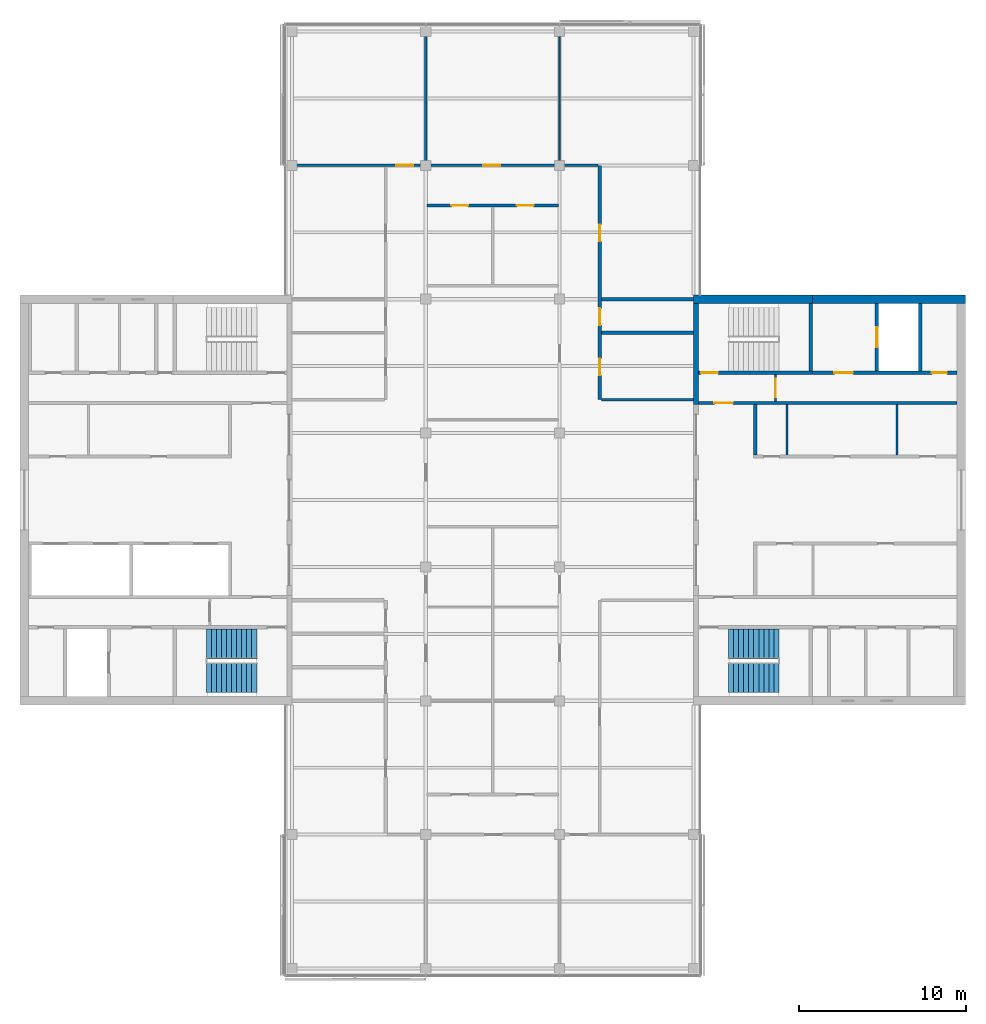
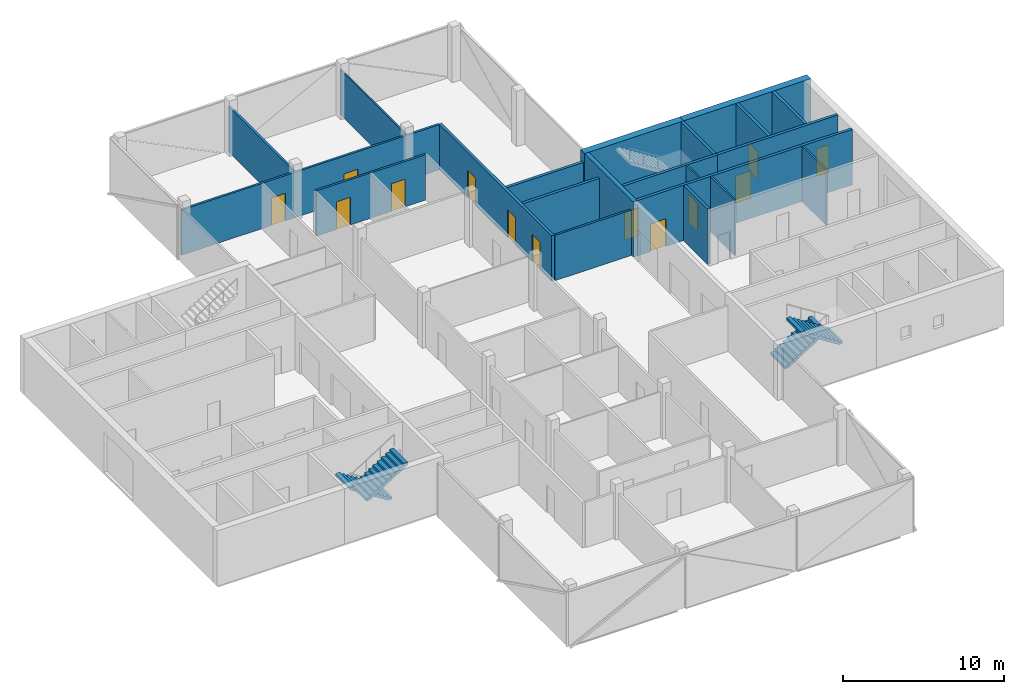
# One storey, part 12 of 16: 21 walls, 13 doors, 4 stair flights, 13 openings, 2 elements without a shape of their own.
"""IFC4 building model written with IfcOpenShell, lengths in metres."""

from ifc_helpers import new_model, si_unit, direction, frame, frame_2d, origin, place, context, subcontext, project, spatial, polyline, rectangle, outline, extrude, material, layer, layer_set, constituent, constituent_set, type_object, element, fill, aggregate, save


model = new_model("IFC4")

# Units and contexts
model_context = context("Model", 3, precision=1e-05, world=origin(), true_north=direction((0.0, 1.0)))
body_context = subcontext(model_context, "Body", "Model", "MODEL_VIEW")
ifc_project = project(units=[si_unit("LENGTHUNIT", "METRE"), si_unit("AREAUNIT", "SQUARE_METRE"), si_unit("VOLUMEUNIT", "CUBIC_METRE"), si_unit("PLANEANGLEUNIT", "RADIAN"), si_unit("MASSUNIT", "GRAM", prefix="KILO")], contexts=[model_context])

# Site, building, storey
site_placement = place(None, origin())
site = spatial("IfcSite", under=ifc_project, at=site_placement, CompositionType="ELEMENT")
building_placement = place(site_placement, origin())
building = spatial("IfcBuilding", under=site, at=building_placement, Name="Crosswind Convention Tower", CompositionType="ELEMENT")
storey_placement = place(building_placement, frame((0.0, 0.0, 336.5)))
storey = spatial("IfcBuildingStorey", under=building, at=storey_placement, Name="L73", CompositionType="ELEMENT", Elevation=336.5)

# Wall, openings, doors
ifc_material_1 = material(Name="Concrete blockwork", Category="masonry")
ifc_layer_1 = layer(ifc_material_1, 0.199951171875)
ifc_layer_set_1 = layer_set([ifc_layer_1], Name="COMPARTMENT WALL 200 BLOCKWORK")
wall_type_1 = type_object("IfcWallType", Name="COMPARTMENT WALL 200 BLOCKWORK", PredefinedType="SOLIDWALL", material=ifc_layer_set_1)
wall_1_placement = place(storey_placement, frame((131.39990234375, 106.0, 0.0), z_axis=(0.0, 0.0, 1.0), x_axis=(0.0, 1.0, 0.0)))
wall_1 = element("IfcWall", 1, at=wall_1_placement, inside=storey, type_object=wall_type_1, Name="Compartment wall WT42", PredefinedType="SOLIDWALL", context=body_context, shape_type="SweptSolid", body=[
    extrude(rectangle(XDim=14.0, YDim=0.199951171875, at=frame_2d((7.0, 0.0))), origin(), (0.0, 0.0, 1.0), 3.44287109375),
])
opening_1_placement = place(wall_1_placement, frame((1.449951171875, 0.0, 0.0)))
opening_1 = element("IfcOpeningElement", 2, at=opening_1_placement, cuts=wall_1, Name="Opening L73-50", PredefinedType="OPENING", context=body_context, shape_type="SweptSolid", body=[
    extrude(rectangle(XDim=1.0, YDim=2.10009765625, at=frame_2d((0.5, 1.050048828125))), frame((0.0, 0.10986328125, 0.0), z_axis=(0.0, -1.0, 0.0), x_axis=(1.0, 0.0, 0.0)), (0.0, 0.0, 1.0), 0.219970703125),
])
opening_2_placement = place(wall_1_placement, frame((4.449951171875, 0.0, 0.0)))
opening_2 = element("IfcOpeningElement", 3, at=opening_2_placement, cuts=wall_1, Name="Opening L73-51", PredefinedType="OPENING", context=body_context, shape_type="SweptSolid", body=[
    extrude(rectangle(XDim=1.0, YDim=2.10009765625, at=frame_2d((0.5, 1.050048828125))), frame((0.0, 0.10986328125, 0.0), z_axis=(0.0, -1.0, 0.0), x_axis=(1.0, 0.0, 0.0)), (0.0, 0.0, 1.0), 0.219970703125),
])
opening_3_placement = place(wall_1_placement, frame((9.449951171875, 0.0, 0.0)))
opening_3 = element("IfcOpeningElement", 4, at=opening_3_placement, cuts=wall_1, Name="Opening L73-52", PredefinedType="OPENING", context=body_context, shape_type="SweptSolid", body=[
    extrude(rectangle(XDim=1.0, YDim=2.10009765625, at=frame_2d((0.5, 1.050048828125))), frame((0.0, 0.10986328125, 0.0), z_axis=(0.0, -1.0, 0.0), x_axis=(1.0, 0.0, 0.0)), (0.0, 0.0, 1.0), 0.219970703125),
])
ifc_material_2 = material(Name="Steel fire door", Category="steel")
door_type_1 = type_object("IfcDoorType", Name="PLANT ROOM DOOR 1000X2100 FD60", OperationType="NOTDEFINED", PredefinedType="DOOR", material=ifc_material_2)
door_1_placement = place(opening_2_placement, frame((1.0, 0.0, 0.0), z_axis=(0.0, 0.0, 1.0), x_axis=(-1.0, 0.0, 0.0)))
door_1 = element("IfcDoor", 5, at=door_1_placement, inside=storey, type_object=door_type_1, Name="Door L73-51", ObjectType="D43", OperationType="SINGLE_SWING_RIGHT", OverallHeight=2.10009765625, OverallWidth=1.0, PredefinedType="DOOR", context=body_context, shape_type="SweptSolid", body=[
    extrude(rectangle(XDim=1.0, YDim=2.10009765625, at=frame_2d((0.5, 1.050048828125))), frame((0.0, 0.02490234375, 0.0), z_axis=(0.0, -1.0, 0.0), x_axis=(1.0, 0.0, 0.0)), (0.0, 0.0, 1.0), 0.050048828125),
])
fill(opening_2, door_1)
ifc_material_3 = material(Name="Timber fire door", Category="wood")
door_type_2 = type_object("IfcDoorType", Name="TENANCY ENTRANCE DOOR 1000X2100 FD30S", OperationType="NOTDEFINED", PredefinedType="DOOR", material=ifc_material_3)
door_2_placement = place(opening_1_placement, frame((1.0, 0.0, 0.0), z_axis=(0.0, 0.0, 1.0), x_axis=(-1.0, 0.0, 0.0)))
door_2 = element("IfcDoor", 6, at=door_2_placement, inside=storey, type_object=door_type_2, Name="Door L73-50", ObjectType="D41", OperationType="SINGLE_SWING_RIGHT", OverallHeight=2.10009765625, OverallWidth=1.0, PredefinedType="DOOR", context=body_context, shape_type="SweptSolid", body=[
    extrude(rectangle(XDim=1.0, YDim=2.10009765625, at=frame_2d((0.5, 1.050048828125))), frame((0.0, 0.02490234375, 0.0), z_axis=(0.0, -1.0, 0.0), x_axis=(1.0, 0.0, 0.0)), (0.0, 0.0, 1.0), 0.050048828125),
])
fill(opening_1, door_2)
door_3_placement = place(opening_3_placement, frame((1.0, 0.0, 0.0), z_axis=(0.0, 0.0, 1.0), x_axis=(-1.0, 0.0, 0.0)))
door_3 = element("IfcDoor", 7, at=door_3_placement, inside=storey, type_object=door_type_2, Name="Door L73-52", ObjectType="D41", OperationType="SINGLE_SWING_RIGHT", OverallHeight=2.10009765625, OverallWidth=1.0, PredefinedType="DOOR", context=body_context, shape_type="SweptSolid", body=[
    extrude(rectangle(XDim=1.0, YDim=2.10009765625, at=frame_2d((0.5, 1.050048828125))), frame((0.0, 0.02490234375, 0.0), z_axis=(0.0, -1.0, 0.0), x_axis=(1.0, 0.0, 0.0)), (0.0, 0.0, 1.0), 0.050048828125),
])
fill(opening_3, door_3)

# Walls
for number, where, z_axis, x_axis, name in (
    (8, (131.5, 110.0, 0.0), (0.0, 0.0, 1.0), (1.0, 0.0, 0.0), "Compartment wall WT42"),
    (9, (131.5, 112.0, 0.0), (0.0, 0.0, 1.0), (1.0, 0.0, 0.0), "Compartment wall WT42"),
):
    element("IfcWall", number, at=place(storey_placement, frame(where, z_axis=z_axis, x_axis=x_axis)), inside=storey, type_object=wall_type_1, Name=name, PredefinedType="SOLIDWALL", context=body_context, shape_type="SweptSolid", body=[
        extrude(rectangle(XDim=5.5, YDim=0.199951171875, at=frame_2d((2.75, 0.0))), origin(), (0.0, 0.0, 1.0), 3.44287109375),
    ])
ifc_material_4 = material(Name="Concrete C50/60", Category="concrete")
ifc_layer_2 = layer(ifc_material_4, 0.300048828125)
ifc_layer_set_2 = layer_set([ifc_layer_2], Name="Concrete C50/60")
wall_type_2 = type_object("IfcWallType", Name="Concrete inner core wall 300", PredefinedType="SHEAR", material=ifc_layer_set_2)
wall_2_placement = place(storey_placement, frame((137.14990234375, 105.699951171875, 0.0), z_axis=(0.0, 0.0, 1.0), x_axis=(0.0, 1.0, 0.0)))
element("IfcWall", 10, at=wall_2_placement, inside=storey, type_object=wall_type_2, Name="Wall EP E L73", PredefinedType="SHEAR", context=body_context, shape_type="SweptSolid", body=[
    extrude(rectangle(XDim=6.050048828125, YDim=0.300048828125, at=frame_2d((3.02490234375, 0.0))), origin(), (0.0, 0.0, 1.0), 4.199951171875),
])
ifc_layer_3 = layer(ifc_material_4, 0.199951171875)
ifc_layer_set_3 = layer_set([ifc_layer_3], Name="Concrete C50/60")
wall_type_3 = type_object("IfcWallType", Name="Concrete shaft and stair wall 200", PredefinedType="SHEAR", material=ifc_layer_set_3)
wall_3_placement = place(storey_placement, frame((140.699951171875, 102.699951171875, 0.0), z_axis=(0.0, 0.0, 1.0), x_axis=(0.0, 1.0, 0.0)))
element("IfcWall", 11, at=wall_3_placement, inside=storey, type_object=wall_type_3, Name="Wall RPEND E L73", PredefinedType="SHEAR", context=body_context, shape_type="SweptSolid", body=[
    extrude(rectangle(XDim=3.0, YDim=0.199951171875, at=frame_2d((1.5, 0.0))), origin(), (0.0, 0.0, 1.0), 4.199951171875),
])

# Wall, opening, door
wall_4_placement = place(storey_placement, frame((137.300048828125, 105.800048828125, 0.0), z_axis=(0.0, 0.0, 1.0), x_axis=(1.0, 0.0, 0.0)))
wall_4 = element("IfcWall", 12, at=wall_4_placement, inside=storey, type_object=wall_type_3, Name="Wall HP E L73", PredefinedType="SHEAR", context=body_context, shape_type="SweptSolid", body=[
    extrude(rectangle(XDim=15.449951171875, YDim=0.199951171875, at=frame_2d((7.72509765625, 0.0))), origin(), (0.0, 0.0, 1.0), 4.199951171875),
])
opening_4_placement = place(wall_4_placement, frame((0.949951171875, 0.0, 0.0)))
opening_4 = element("IfcOpeningElement", 13, at=opening_4_placement, cuts=wall_4, Name="Opening D104", PredefinedType="OPENING", context=body_context, shape_type="SweptSolid", body=[
    extrude(rectangle(XDim=1.10009765625, YDim=2.10009765625, at=frame_2d((0.550048828125, 1.050048828125))), frame((0.0, 0.10986328125, 0.0), z_axis=(0.0, -1.0, 0.0), x_axis=(1.0, 0.0, 0.0)), (0.0, 0.0, 1.0), 0.219970703125),
])
door_type_3 = type_object("IfcDoorType", Name="Fire-rated single door 1100x2100", OperationType="NOTDEFINED", PredefinedType="DOOR", material=ifc_material_2)
door_4_placement = place(opening_4_placement, origin())
door_4 = element("IfcDoor", 14, at=door_4_placement, inside=storey, type_object=door_type_3, Name="Corridor door L73", ObjectType="D104", OperationType="SINGLE_SWING_LEFT", OverallHeight=2.10009765625, OverallWidth=1.10009765625, PredefinedType="DOOR", context=body_context, shape_type="SweptSolid", body=[
    extrude(rectangle(XDim=1.10009765625, YDim=2.10009765625, at=frame_2d((0.550048828125, 1.050048828125))), frame((0.0, 0.02490234375, 0.0), z_axis=(0.0, -1.0, 0.0), x_axis=(1.0, 0.0, 0.0)), (0.0, 0.0, 1.0), 0.050048828125),
])
fill(opening_4, door_4)

# Wall
wall_5_placement = place(storey_placement, frame((144.0, 107.699951171875, 0.0), z_axis=(0.0, 0.0, 1.0), x_axis=(0.0, 1.0, 0.0)))
element("IfcWall", 15, at=wall_5_placement, inside=storey, type_object=wall_type_3, Name="Wall PSE E L73", PredefinedType="SHEAR", context=body_context, shape_type="SweptSolid", body=[
    extrude(rectangle(XDim=4.050048828125, YDim=0.199951171875, at=frame_2d((2.02490234375, 0.0))), origin(), (0.0, 0.0, 1.0), 4.199951171875),
])

# Wall, opening, door
wall_6_placement = place(storey_placement, frame((147.949951171875, 107.699951171875, 0.0), z_axis=(0.0, 0.0, 1.0), x_axis=(0.0, 1.0, 0.0)))
wall_6 = element("IfcWall", 16, at=wall_6_placement, inside=storey, type_object=wall_type_3, Name="Wall PFLW E L73", PredefinedType="SHEAR", context=body_context, shape_type="SweptSolid", body=[
    extrude(rectangle(XDim=4.050048828125, YDim=0.199951171875, at=frame_2d((2.02490234375, 0.0))), origin(), (0.0, 0.0, 1.0), 4.199951171875),
])
opening_5_placement = place(wall_6_placement, frame((1.425048828125, 0.0, 0.0)))
opening_5 = element("IfcOpeningElement", 17, at=opening_5_placement, cuts=wall_6, Name="Opening LD1", PredefinedType="OPENING", context=body_context, shape_type="SweptSolid", body=[
    extrude(rectangle(XDim=1.199951171875, YDim=2.10009765625, at=frame_2d((0.60009765625, 1.050048828125))), frame((0.0, 0.10986328125, 0.0), z_axis=(0.0, -1.0, 0.0), x_axis=(1.0, 0.0, 0.0)), (0.0, 0.0, 1.0), 0.219970703125),
])
ifc_material_5 = material(Name="Stainless steel", Category="steel")
door_type_4 = type_object("IfcDoorType", Name="Lift landing door 1200x2100", OperationType="DOUBLE_DOOR_SLIDING", PredefinedType="DOOR", material=ifc_material_5)
door_5_placement = place(opening_5_placement, origin())
door_5 = element("IfcDoor", 18, at=door_5_placement, inside=storey, type_object=door_type_4, Name="Landing door FF1 L73", ObjectType="LD1", OperationType="DOUBLE_DOOR_SLIDING", OverallHeight=2.10009765625, OverallWidth=1.199951171875, PredefinedType="DOOR", context=body_context, shape_type="SweptSolid", body=[
    extrude(rectangle(XDim=1.199951171875, YDim=2.10009765625, at=frame_2d((0.60009765625, 1.050048828125))), frame((0.0, 0.02490234375, 0.0), z_axis=(0.0, -1.0, 0.0), x_axis=(1.0, 0.0, 0.0)), (0.0, 0.0, 1.0), 0.050048828125),
])
fill(opening_5, door_5)

# Wall
wall_7_placement = place(storey_placement, frame((150.550048828125, 107.699951171875, 0.0), z_axis=(0.0, 0.0, 1.0), x_axis=(0.0, 1.0, 0.0)))
element("IfcWall", 19, at=wall_7_placement, inside=storey, type_object=wall_type_3, Name="Wall PFSE E L73", PredefinedType="SHEAR", context=body_context, shape_type="SweptSolid", body=[
    extrude(rectangle(XDim=4.050048828125, YDim=0.199951171875, at=frame_2d((2.02490234375, 0.0))), origin(), (0.0, 0.0, 1.0), 4.199951171875),
])

# Wall, opening, door
wall_8_placement = place(storey_placement, frame((137.300048828125, 107.60009765625, 0.0), z_axis=(0.0, 0.0, 1.0), x_axis=(1.0, 0.0, 0.0)))
wall_8 = element("IfcWall", 20, at=wall_8_placement, inside=storey, type_object=wall_type_3, Name="Wall PCW E L73", PredefinedType="SHEAR", context=body_context, shape_type="SweptSolid", body=[
    extrude(rectangle(XDim=6.800048828125, YDim=0.199951171875, at=frame_2d((3.39990234375, 0.0))), origin(), (0.0, 0.0, 1.0), 4.199951171875),
])
opening_6_placement = place(wall_8_placement, frame((0.14990234375, 0.0, 0.0)))
opening_6 = element("IfcOpeningElement", 21, at=opening_6_placement, cuts=wall_8, Name="Opening D103", PredefinedType="OPENING", context=body_context, shape_type="SweptSolid", body=[
    extrude(rectangle(XDim=1.0, YDim=2.10009765625, at=frame_2d((0.5, 1.050048828125))), frame((0.0, 0.10986328125, 0.0), z_axis=(0.0, -1.0, 0.0), x_axis=(1.0, 0.0, 0.0)), (0.0, 0.0, 1.0), 0.219970703125),
])
door_type_5 = type_object("IfcDoorType", Name="Fire-rated single door 1000x2100", OperationType="NOTDEFINED", PredefinedType="DOOR", material=ifc_material_2)
door_6_placement = place(opening_6_placement, origin())
door_6 = element("IfcDoor", 22, at=door_6_placement, inside=storey, type_object=door_type_5, Name="Stair ST1 door L73", ObjectType="D103", OperationType="SINGLE_SWING_LEFT", OverallHeight=2.10009765625, OverallWidth=1.0, PredefinedType="DOOR", context=body_context, shape_type="SweptSolid", body=[
    extrude(rectangle(XDim=1.0, YDim=2.10009765625, at=frame_2d((0.5, 1.050048828125))), frame((0.0, 0.02490234375, 0.0), z_axis=(0.0, -1.0, 0.0), x_axis=(1.0, 0.0, 0.0)), (0.0, 0.0, 1.0), 0.050048828125),
])
fill(opening_6, door_6)

# Wall, openings, doors
wall_9_placement = place(storey_placement, frame((144.10009765625, 107.60009765625, 0.0), z_axis=(0.0, 0.0, 1.0), x_axis=(1.0, 0.0, 0.0)))
wall_9 = element("IfcWall", 23, at=wall_9_placement, inside=storey, type_object=wall_type_3, Name="Wall PCX E L73", PredefinedType="SHEAR", context=body_context, shape_type="SweptSolid", body=[
    extrude(rectangle(XDim=8.64990234375, YDim=0.199951171875, at=frame_2d((4.324951171875, 0.0))), origin(), (0.0, 0.0, 1.0), 4.199951171875),
])
opening_7_placement = place(wall_9_placement, frame((1.324951171875, 0.0, 0.0)))
opening_7 = element("IfcOpeningElement", 24, at=opening_7_placement, cuts=wall_9, Name="Opening D104", PredefinedType="OPENING", context=body_context, shape_type="SweptSolid", body=[
    extrude(rectangle(XDim=1.10009765625, YDim=2.10009765625, at=frame_2d((0.550048828125, 1.050048828125))), frame((0.0, 0.10986328125, 0.0), z_axis=(0.0, -1.0, 0.0), x_axis=(1.0, 0.0, 0.0)), (0.0, 0.0, 1.0), 0.219970703125),
])
opening_8_placement = place(wall_9_placement, frame((7.14990234375, 0.0, 0.0)))
opening_8 = element("IfcOpeningElement", 25, at=opening_8_placement, cuts=wall_9, Name="Opening D106", PredefinedType="OPENING", context=body_context, shape_type="SweptSolid", body=[
    extrude(rectangle(XDim=0.89990234375, YDim=2.10009765625, at=frame_2d((0.449951171875, 1.050048828125))), frame((0.0, 0.10986328125, 0.0), z_axis=(0.0, -1.0, 0.0), x_axis=(1.0, 0.0, 0.0)), (0.0, 0.0, 1.0), 0.219970703125),
])
door_7_placement = place(opening_7_placement, origin())
door_7 = element("IfcDoor", 26, at=door_7_placement, inside=storey, type_object=door_type_3, Name="Fire-fighting lobby FF1 door L73", ObjectType="D104", OperationType="SINGLE_SWING_RIGHT", OverallHeight=2.10009765625, OverallWidth=1.10009765625, PredefinedType="DOOR", context=body_context, shape_type="SweptSolid", body=[
    extrude(rectangle(XDim=1.10009765625, YDim=2.10009765625, at=frame_2d((0.550048828125, 1.050048828125))), frame((0.0, 0.02490234375, 0.0), z_axis=(0.0, -1.0, 0.0), x_axis=(1.0, 0.0, 0.0)), (0.0, 0.0, 1.0), 0.050048828125),
])
fill(opening_7, door_7)
ifc_material_6 = material(Name="Timber door", Category="wood")
door_type_6 = type_object("IfcDoorType", Name="Single leaf door 900x2100", OperationType="NOTDEFINED", PredefinedType="DOOR", material=ifc_material_6)
door_8_placement = place(opening_8_placement, origin())
door_8 = element("IfcDoor", 27, at=door_8_placement, inside=storey, type_object=door_type_6, Name="Door to cleaners' store L73", ObjectType="D106", OperationType="SINGLE_SWING_RIGHT", OverallHeight=2.10009765625, OverallWidth=0.89990234375, PredefinedType="DOOR", context=body_context, shape_type="SweptSolid", body=[
    extrude(rectangle(XDim=0.89990234375, YDim=2.10009765625, at=frame_2d((0.449951171875, 1.050048828125))), frame((0.0, 0.02490234375, 0.0), z_axis=(0.0, -1.0, 0.0), x_axis=(1.0, 0.0, 0.0)), (0.0, 0.0, 1.0), 0.050048828125),
])
fill(opening_8, door_8)

# Walls
ifc_material_7 = material(Name="Gypsum plasterboard partition", Category="gypsum")
ifc_layer_4 = layer(ifc_material_7, 0.125)
ifc_layer_set_4 = layer_set([ifc_layer_4], Name="Drywall partition wall 125")
wall_type_4 = type_object("IfcWallType", Name="Drywall partition wall 125", PredefinedType="PARTITIONING", material=ifc_layer_set_4)
for number, where, z_axis, x_axis, name in (
    (28, (142.592529296875, 102.699951171875, 0.0), (0.0, 0.0, 1.0), (0.0, 1.0, 0.0), "Wall RPP1 E L73"),
    (29, (149.1650390625, 102.699951171875, 0.0), (0.0, 0.0, 1.0), (0.0, 1.0, 0.0), "Wall RPP2 E L73"),
):
    element("IfcWall", number, at=place(storey_placement, frame(where, z_axis=z_axis, x_axis=x_axis)), inside=storey, type_object=wall_type_4, Name=name, PredefinedType="PARTITIONING", context=body_context, shape_type="SweptSolid", body=[
        extrude(rectangle(XDim=3.0, YDim=0.125, at=frame_2d((1.5, 0.0))), origin(), (0.0, 0.0, 1.0), 4.199951171875),
    ])

# Wall, opening, door
wall_10_placement = place(storey_placement, frame((141.89990234375, 105.89990234375, 0.0), z_axis=(0.0, 0.0, 1.0), x_axis=(0.0, 1.0, 0.0)))
wall_10 = element("IfcWall", 30, at=wall_10_placement, inside=storey, type_object=wall_type_4, Name="Wall PXC1 E L73", PredefinedType="PARTITIONING", context=body_context, shape_type="SweptSolid", body=[
    extrude(rectangle(XDim=1.60009765625, YDim=0.125, at=frame_2d((0.800048828125, 0.0))), origin(), (0.0, 0.0, 1.0), 4.199951171875),
])
opening_9_placement = place(wall_10_placement, frame((0.25, 0.0, 0.0)))
opening_9 = element("IfcOpeningElement", 31, at=opening_9_placement, cuts=wall_10, Name="Opening D104", PredefinedType="OPENING", context=body_context, shape_type="SweptSolid", body=[
    extrude(rectangle(XDim=1.10009765625, YDim=2.10009765625, at=frame_2d((0.550048828125, 1.050048828125))), frame((0.0, 0.072509765625, 0.0), z_axis=(0.0, -1.0, 0.0), x_axis=(1.0, 0.0, 0.0)), (0.0, 0.0, 1.0), 0.14501953125),
])
door_9_placement = place(opening_9_placement, origin())
door_9 = element("IfcDoor", 32, at=door_9_placement, inside=storey, type_object=door_type_3, Name="Corridor smoke door L73", ObjectType="D104", OperationType="SINGLE_SWING_RIGHT", OverallHeight=2.10009765625, OverallWidth=1.10009765625, PredefinedType="DOOR", context=body_context, shape_type="SweptSolid", body=[
    extrude(rectangle(XDim=1.10009765625, YDim=2.10009765625, at=frame_2d((0.550048828125, 1.050048828125))), frame((0.0, 0.02490234375, 0.0), z_axis=(0.0, -1.0, 0.0), x_axis=(1.0, 0.0, 0.0)), (0.0, 0.0, 1.0), 0.050048828125),
])
fill(opening_9, door_9)

# Walls
ifc_material_8 = material(Name="Plasterboard partition", Category="gypsum")
ifc_layer_5 = layer(ifc_material_8, 0.10009765625)
ifc_layer_set_5 = layer_set([ifc_layer_5], Name="PARTITION 100 METAL STUD")
wall_type_5 = type_object("IfcWallType", Name="PARTITION 100 METAL STUD", PredefinedType="PARTITIONING", material=ifc_layer_set_5)
wall_11_placement = place(storey_placement, frame((129.0, 120.074951171875, 0.0), z_axis=(0.0, 0.0, 1.0), x_axis=(0.0, 1.0, 0.0)))
element("IfcWall", 33, at=wall_11_placement, inside=storey, type_object=wall_type_5, Name="Partition wall WT40", PredefinedType="PARTITIONING", context=body_context, shape_type="SweptSolid", body=[
    extrude(rectangle(XDim=8.14501953125, YDim=0.10009765625, at=frame_2d((4.072509765625, 0.0))), origin(), (0.0, 0.0, 1.0), 3.44287109375),
])
ifc_material_9 = material(Name="Fire-board partition with mineral wool", Category="gypsum")
ifc_layer_6 = layer(ifc_material_9, 0.14990234375)
ifc_layer_set_6 = layer_set([ifc_layer_6], Name="TENANCY WALL 150 TWO-HOUR BOARD")
wall_type_6 = type_object("IfcWallType", Name="TENANCY WALL 150 TWO-HOUR BOARD", PredefinedType="PARTITIONING", material=ifc_layer_set_6)
wall_12_placement = place(storey_placement, frame((121.0, 120.074951171875, 0.0), z_axis=(0.0, 0.0, 1.0), x_axis=(0.0, 1.0, 0.0)))
element("IfcWall", 34, at=wall_12_placement, inside=storey, type_object=wall_type_6, Name="Tenancy wall WT41", PredefinedType="PARTITIONING", context=body_context, shape_type="SweptSolid", body=[
    extrude(rectangle(XDim=8.14501953125, YDim=0.14990234375, at=frame_2d((4.072509765625, 0.0))), origin(), (0.0, 0.0, 1.0), 3.44287109375),
])
wall_13_placement = place(storey_placement, frame((131.5, 106.0, 0.0), z_axis=(0.0, 0.0, 1.0), x_axis=(1.0, 0.0, 0.0)))
element("IfcWall", 35, at=wall_13_placement, inside=storey, type_object=wall_type_6, Name="Tenancy wall WT41", PredefinedType="PARTITIONING", context=body_context, shape_type="SweptSolid", body=[
    extrude(rectangle(XDim=5.5, YDim=0.14990234375, at=frame_2d((2.75, 0.0))), origin(), (0.0, 0.0, 1.0), 3.44287109375),
])

# Wall, openings, doors
wall_14_placement = place(storey_placement, frame((121.074951171875, 117.60009765625, 0.0), z_axis=(0.0, 0.0, 1.0), x_axis=(1.0, 0.0, 0.0)))
wall_14 = element("IfcWall", 36, at=wall_14_placement, inside=storey, type_object=wall_type_6, Name="Tenancy wall WT41", PredefinedType="PARTITIONING", context=body_context, shape_type="SweptSolid", body=[
    extrude(rectangle(XDim=7.85009765625, YDim=0.14990234375, at=frame_2d((3.925048828125, 0.0))), origin(), (0.0, 0.0, 1.0), 3.44287109375),
])
opening_10_placement = place(wall_14_placement, frame((1.449951171875, 0.0, 0.0)))
opening_10 = element("IfcOpeningElement", 37, at=opening_10_placement, cuts=wall_14, Name="Opening L73-73", PredefinedType="OPENING", context=body_context, shape_type="SweptSolid", body=[
    extrude(rectangle(XDim=1.0, YDim=2.10009765625, at=frame_2d((0.5, 1.050048828125))), frame((0.0, 0.0849609375, 0.0), z_axis=(0.0, -1.0, 0.0), x_axis=(1.0, 0.0, 0.0)), (0.0, 0.0, 1.0), 0.169921875),
])
opening_11_placement = place(wall_14_placement, frame((5.375, 0.0, 0.0)))
opening_11 = element("IfcOpeningElement", 38, at=opening_11_placement, cuts=wall_14, Name="Opening L73-74", PredefinedType="OPENING", context=body_context, shape_type="SweptSolid", body=[
    extrude(rectangle(XDim=1.0, YDim=2.10009765625, at=frame_2d((0.5, 1.050048828125))), frame((0.0, 0.0849609375, 0.0), z_axis=(0.0, -1.0, 0.0), x_axis=(1.0, 0.0, 0.0)), (0.0, 0.0, 1.0), 0.169921875),
])
door_10_placement = place(opening_10_placement, frame((1.0, 0.0, 0.0), z_axis=(0.0, 0.0, 1.0), x_axis=(-1.0, 0.0, 0.0)))
door_10 = element("IfcDoor", 39, at=door_10_placement, inside=storey, type_object=door_type_2, Name="Door L73-73", ObjectType="D41", OperationType="SINGLE_SWING_LEFT", OverallHeight=2.10009765625, OverallWidth=1.0, PredefinedType="DOOR", context=body_context, shape_type="SweptSolid", body=[
    extrude(rectangle(XDim=1.0, YDim=2.10009765625, at=frame_2d((0.5, 1.050048828125))), frame((0.0, 0.02490234375, 0.0), z_axis=(0.0, -1.0, 0.0), x_axis=(1.0, 0.0, 0.0)), (0.0, 0.0, 1.0), 0.050048828125),
])
fill(opening_10, door_10)
door_11_placement = place(opening_11_placement, frame((1.0, 0.0, 0.0), z_axis=(0.0, 0.0, 1.0), x_axis=(-1.0, 0.0, 0.0)))
door_11 = element("IfcDoor", 40, at=door_11_placement, inside=storey, type_object=door_type_2, Name="Door L73-74", ObjectType="D41", OperationType="SINGLE_SWING_RIGHT", OverallHeight=2.10009765625, OverallWidth=1.0, PredefinedType="DOOR", context=body_context, shape_type="SweptSolid", body=[
    extrude(rectangle(XDim=1.0, YDim=2.10009765625, at=frame_2d((0.5, 1.050048828125))), frame((0.0, 0.02490234375, 0.0), z_axis=(0.0, -1.0, 0.0), x_axis=(1.0, 0.0, 0.0)), (0.0, 0.0, 1.0), 0.050048828125),
])
fill(opening_11, door_11)

wall_15_placement = place(storey_placement, frame((112.780029296875, 120.0, 0.0), z_axis=(0.0, 0.0, 1.0), x_axis=(1.0, 0.0, 0.0)))
wall_15 = element("IfcWall", 41, at=wall_15_placement, inside=storey, type_object=wall_type_6, Name="Tenancy wall WT41", PredefinedType="PARTITIONING", context=body_context, shape_type="SweptSolid", body=[
    extrude(rectangle(XDim=18.52001953125, YDim=0.14990234375, at=frame_2d((9.260009765625, 0.0))), origin(), (0.0, 0.0, 1.0), 3.44287109375),
])
opening_12_placement = place(wall_15_placement, frame((6.469970703125, 0.0, 0.0)))
opening_12 = element("IfcOpeningElement", 42, at=opening_12_placement, cuts=wall_15, Name="Opening L73-61", PredefinedType="OPENING", context=body_context, shape_type="SweptSolid", body=[
    extrude(rectangle(XDim=1.0, YDim=2.10009765625, at=frame_2d((0.5, 1.050048828125))), frame((0.0, 0.0849609375, 0.0), z_axis=(0.0, -1.0, 0.0), x_axis=(1.0, 0.0, 0.0)), (0.0, 0.0, 1.0), 0.169921875),
])
opening_13_placement = place(wall_15_placement, frame((11.669921875, 0.0, 0.0)))
opening_13 = element("IfcOpeningElement", 43, at=opening_13_placement, cuts=wall_15, Name="Opening L73-62", PredefinedType="OPENING", context=body_context, shape_type="SweptSolid", body=[
    extrude(rectangle(XDim=1.0, YDim=2.10009765625, at=frame_2d((0.5, 1.050048828125))), frame((0.0, 0.0849609375, 0.0), z_axis=(0.0, -1.0, 0.0), x_axis=(1.0, 0.0, 0.0)), (0.0, 0.0, 1.0), 0.169921875),
])
door_12_placement = place(opening_12_placement, origin())
door_12 = element("IfcDoor", 44, at=door_12_placement, inside=storey, type_object=door_type_2, Name="Door L73-61", ObjectType="D41", OperationType="SINGLE_SWING_RIGHT", OverallHeight=2.10009765625, OverallWidth=1.0, PredefinedType="DOOR", context=body_context, shape_type="SweptSolid", body=[
    extrude(rectangle(XDim=1.0, YDim=2.10009765625, at=frame_2d((0.5, 1.050048828125))), frame((0.0, 0.02490234375, 0.0), z_axis=(0.0, -1.0, 0.0), x_axis=(1.0, 0.0, 0.0)), (0.0, 0.0, 1.0), 0.050048828125),
])
fill(opening_12, door_12)
door_13_placement = place(opening_13_placement, origin())
door_13 = element("IfcDoor", 45, at=door_13_placement, inside=storey, type_object=door_type_2, Name="Door L73-62", ObjectType="D41", OperationType="SINGLE_SWING_LEFT", OverallHeight=2.10009765625, OverallWidth=1.0, PredefinedType="DOOR", context=body_context, shape_type="SweptSolid", body=[
    extrude(rectangle(XDim=1.0, YDim=2.10009765625, at=frame_2d((0.5, 1.050048828125))), frame((0.0, 0.02490234375, 0.0), z_axis=(0.0, -1.0, 0.0), x_axis=(1.0, 0.0, 0.0)), (0.0, 0.0, 1.0), 0.050048828125),
])
fill(opening_13, door_13)

# Walls
ifc_material_10 = material(Name="Concrete C60/75", Category="concrete")
ifc_constituent_1 = constituent(ifc_material_10, Name="Structure")
ifc_material_11 = material(Name="Terracotta rainscreen", Category="ceramic")
ifc_constituent_2 = constituent(ifc_material_11, Name="Facing")
ifc_constituent_set = constituent_set(constituents=[ifc_constituent_1, ifc_constituent_2], Name="Concrete C60/75, Terracotta rainscreen")
wall_type_7 = type_object("IfcWallType", Name="Terracotta rainscreen on concrete core wall 500", PredefinedType="SHEAR", material=ifc_constituent_set)
wall_16_placement = place(storey_placement, frame((137.0, 112.0, 0.0), z_axis=(0.0, 0.0, 1.0), x_axis=(1.0, 0.0, 0.0)))
element("IfcWall", 46, at=wall_16_placement, inside=storey, type_object=wall_type_7, Name="Wall N1 E L73", PredefinedType="SHEAR", context=body_context, shape_type="SweptSolid", body=[
    extrude(rectangle(XDim=7.10009765625, YDim=0.5, at=frame_2d((3.550048828125, 0.0))), origin(), (0.0, 0.0, 1.0), 4.199951171875),
])
wall_17_placement = place(storey_placement, frame((144.10009765625, 112.0, 0.0), z_axis=(0.0, 0.0, 1.0), x_axis=(1.0, 0.0, 0.0)))
element("IfcWall", 47, at=wall_17_placement, inside=storey, type_object=wall_type_7, Name="Wall N2 E L73", PredefinedType="SHEAR", context=body_context, shape_type="SweptSolid", body=[
    extrude(rectangle(XDim=9.14990234375, YDim=0.5, at=frame_2d((4.574951171875, 0.0))), origin(), (0.0, 0.0, 1.0), 4.199951171875),
])

# Stair, stair flights
ifc_material_12 = material(Name="Concrete C40/50", Category="concrete")
stair_type = type_object("IfcStairType", Name="Exit stair 1800 wide, 2 flights of 11 risers", PredefinedType="HALF_TURN_STAIR", material=ifc_material_12)
stair_1_placement = place(storey_placement, origin())
stair_1 = element("IfcStair", 48, at=stair_1_placement, inside=storey, type_object=stair_type, Name="Exit stair ST2 L73", ObjectType="ST5", PredefinedType="HALF_TURN_STAIR")
stair_flight_type = type_object("IfcStairFlightType", Name="Stair flight 1800 wide, 11 risers (SF4)", PredefinedType="STRAIGHT", material=ifc_material_12)
stair_flight_1_placement = place(storey_placement, frame((139.10009765625, 91.39990234375, 0.0), z_axis=(0.0, 0.0, 1.0), x_axis=(1.0, 0.0, 0.0)))
stair_flight_1 = element("IfcStairFlight", 49, at=stair_flight_1_placement, type_object=stair_flight_type, Name="ST2 flight 1", NumberOfRisers=11, NumberOfTreads=10, PredefinedType="STRAIGHT", RiserHeight=0.190909091, TreadLength=0.3, context=body_context, shape_type="SweptSolid", body=[
    extrude(outline(polyline([(0.0, 0.0), (0.0, 0.19091796875), (0.300048828125, 0.19091796875), (0.300048828125, 0.3818359375), (0.60009765625, 0.3818359375), (0.60009765625, 0.57275390625), (0.89990234375, 0.57275390625), (0.89990234375, 0.763671875), (1.199951171875, 0.763671875), (1.199951171875, 0.95458984375), (1.5, 0.95458984375), (1.5, 1.1455078125), (1.800048828125, 1.1455078125), (1.800048828125, 1.33642578125), (2.10009765625, 1.33642578125), (2.10009765625, 1.52734375), (2.39990234375, 1.52734375), (2.39990234375, 1.71826171875), (2.699951171875, 1.71826171875), (2.699951171875, 1.9091796875), (3.0, 1.9091796875), (3.0, 2.10009765625), (3.0, 1.7314453125), (0.279296875, 0.0), (0.0, 0.0)])), frame((0.0, 0.89990234375, 0.0), z_axis=(0.0, -1.0, 0.0), x_axis=(1.0, 0.0, 0.0)), (0.0, 0.0, 1.0), 1.800048828125),
])
stair_flight_2_placement = place(storey_placement, frame((142.10009765625, 89.39990234375, 2.10009765625), z_axis=(0.0, 0.0, 1.0), x_axis=(-1.0, 0.0, 0.0)))
stair_flight_2 = element("IfcStairFlight", 50, at=stair_flight_2_placement, type_object=stair_flight_type, Name="ST2 flight 2", NumberOfRisers=11, NumberOfTreads=10, PredefinedType="STRAIGHT", RiserHeight=0.190909091, TreadLength=0.3, context=body_context, shape_type="SweptSolid", body=[
    extrude(outline(polyline([(0.0, 0.0), (0.0, 0.19091796875), (0.300048828125, 0.19091796875), (0.300048828125, 0.3818359375), (0.60009765625, 0.3818359375), (0.60009765625, 0.57275390625), (0.89990234375, 0.57275390625), (0.89990234375, 0.763671875), (1.199951171875, 0.763671875), (1.199951171875, 0.95458984375), (1.5, 0.95458984375), (1.5, 1.1455078125), (1.800048828125, 1.1455078125), (1.800048828125, 1.33642578125), (2.10009765625, 1.33642578125), (2.10009765625, 1.52734375), (2.39990234375, 1.52734375), (2.39990234375, 1.71826171875), (2.699951171875, 1.71826171875), (2.699951171875, 1.9091796875), (3.0, 1.9091796875), (3.0, 2.10009765625), (3.0, 1.7314453125), (0.279296875, 0.0), (0.0, 0.0)])), frame((0.0, 0.89990234375, 0.0), z_axis=(0.0, -1.0, 0.0), x_axis=(1.0, 0.0, 0.0)), (0.0, 0.0, 1.0), 1.800048828125),
])
aggregate(stair_1, [stair_flight_1, stair_flight_2])

stair_2_placement = place(storey_placement, origin())
stair_2 = element("IfcStair", 51, at=stair_2_placement, inside=storey, type_object=stair_type, Name="Exit stair ST3 L73", ObjectType="ST5", PredefinedType="HALF_TURN_STAIR")
stair_flight_3_placement = place(storey_placement, frame((110.89990234375, 91.39990234375, 0.0), z_axis=(0.0, 0.0, 1.0), x_axis=(-1.0, 0.0, 0.0)))
stair_flight_3 = element("IfcStairFlight", 52, at=stair_flight_3_placement, type_object=stair_flight_type, Name="ST3 flight 1", NumberOfRisers=11, NumberOfTreads=10, PredefinedType="STRAIGHT", RiserHeight=0.190909091, TreadLength=0.3, context=body_context, shape_type="SweptSolid", body=[
    extrude(outline(polyline([(0.0, 0.0), (0.0, 0.19091796875), (0.300048828125, 0.19091796875), (0.300048828125, 0.3818359375), (0.60009765625, 0.3818359375), (0.60009765625, 0.57275390625), (0.89990234375, 0.57275390625), (0.89990234375, 0.763671875), (1.199951171875, 0.763671875), (1.199951171875, 0.95458984375), (1.5, 0.95458984375), (1.5, 1.1455078125), (1.800048828125, 1.1455078125), (1.800048828125, 1.33642578125), (2.10009765625, 1.33642578125), (2.10009765625, 1.52734375), (2.39990234375, 1.52734375), (2.39990234375, 1.71826171875), (2.699951171875, 1.71826171875), (2.699951171875, 1.9091796875), (3.0, 1.9091796875), (3.0, 2.10009765625), (3.0, 1.7314453125), (0.279296875, 0.0), (0.0, 0.0)])), frame((0.0, 0.89990234375, 0.0), z_axis=(0.0, -1.0, 0.0), x_axis=(1.0, 0.0, 0.0)), (0.0, 0.0, 1.0), 1.800048828125),
])
stair_flight_4_placement = place(storey_placement, frame((107.89990234375, 89.39990234375, 2.10009765625), z_axis=(0.0, 0.0, 1.0), x_axis=(1.0, 0.0, 0.0)))
stair_flight_4 = element("IfcStairFlight", 53, at=stair_flight_4_placement, type_object=stair_flight_type, Name="ST3 flight 2", NumberOfRisers=11, NumberOfTreads=10, PredefinedType="STRAIGHT", RiserHeight=0.190909091, TreadLength=0.3, context=body_context, shape_type="SweptSolid", body=[
    extrude(outline(polyline([(0.0, 0.0), (0.0, 0.19091796875), (0.300048828125, 0.19091796875), (0.300048828125, 0.3818359375), (0.60009765625, 0.3818359375), (0.60009765625, 0.57275390625), (0.89990234375, 0.57275390625), (0.89990234375, 0.763671875), (1.199951171875, 0.763671875), (1.199951171875, 0.95458984375), (1.5, 0.95458984375), (1.5, 1.1455078125), (1.800048828125, 1.1455078125), (1.800048828125, 1.33642578125), (2.10009765625, 1.33642578125), (2.10009765625, 1.52734375), (2.39990234375, 1.52734375), (2.39990234375, 1.71826171875), (2.699951171875, 1.71826171875), (2.699951171875, 1.9091796875), (3.0, 1.9091796875), (3.0, 2.10009765625), (3.0, 1.7314453125), (0.279296875, 0.0), (0.0, 0.0)])), frame((0.0, 0.89990234375, 0.0), z_axis=(0.0, -1.0, 0.0), x_axis=(1.0, 0.0, 0.0)), (0.0, 0.0, 1.0), 1.800048828125),
])
aggregate(stair_2, [stair_flight_3, stair_flight_4])

save(model, "model.ifc")
